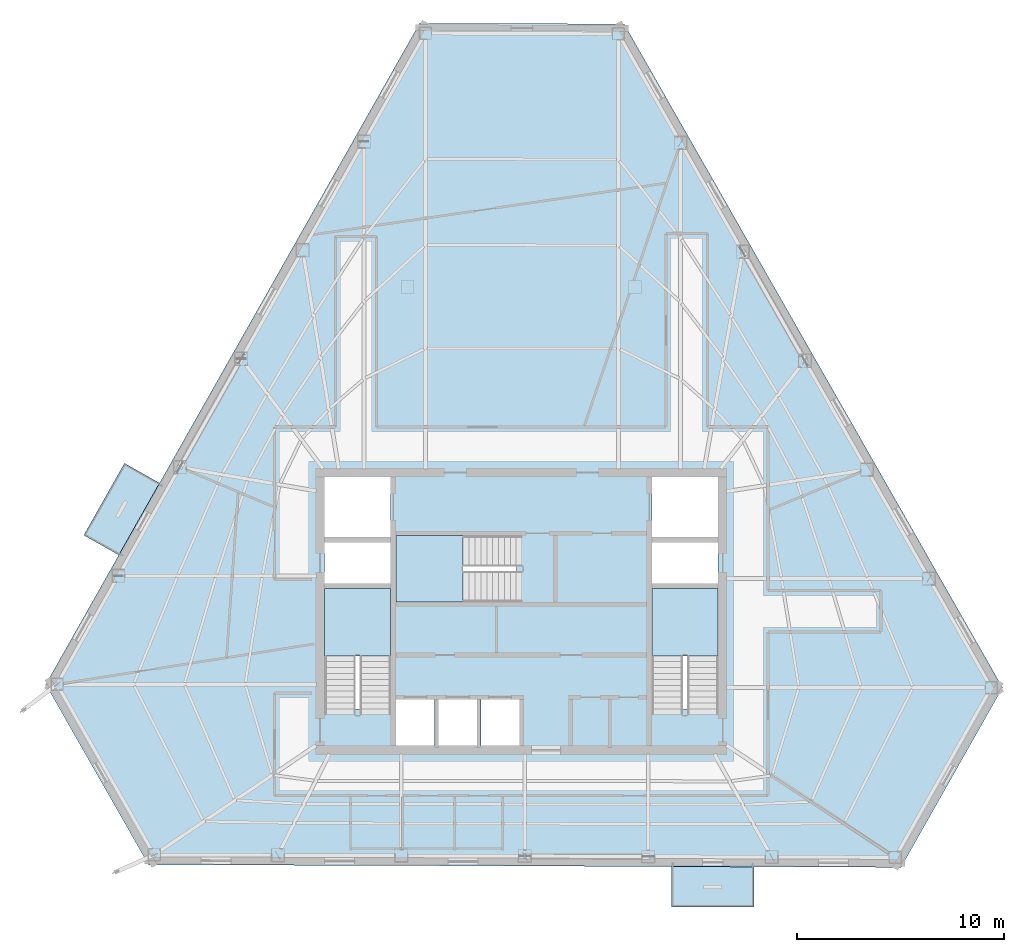
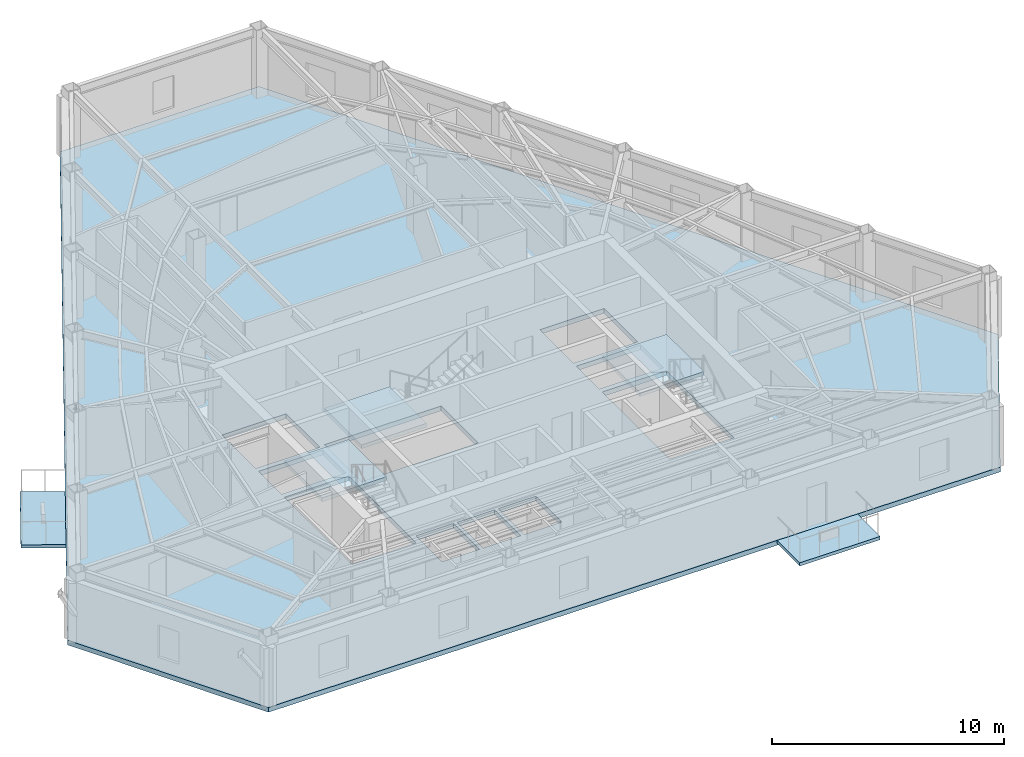
# One storey, part 3 of 13: 6 slabs, 3 elements without a shape of their own.
"""IFC4 building model written with IfcOpenShell, lengths in metres."""

import ifcopenshell
import ifcopenshell.guid

model = None  # the IFC model being written
_history = None  # IfcOwnerHistory: only IFC2X3 demands one
_inside = {}  # id of a spatial element -> (the spatial element, [elements in it])
_under = {}  # id of a project, library or spatial element -> (it, [spatial elements below it])
_declared = {}  # id of a project -> (the project, [libraries it declares])
_typed = {}  # id of a type object -> (the type object, [elements of that type])
_made_of = {}  # id of a material, layer set ... -> (it, [elements and type objects made of it])


def new_model(schema):
    """Start an empty IFC model of exactly this schema.

    Asked for "IFC4X3", IfcOpenShell would pick the latest addendum, in which some entities
    have other attributes; the version numbers below select the first issue.
    IFC2X3 requires an IfcOwnerHistory on every rooted entity: one is made here for all.
    """
    global model, _history
    if schema == "IFC4X3":
        model = ifcopenshell.file(schema_version=(4, 3, 0, 0))
    else:
        model = ifcopenshell.file(schema=schema)
    _inside.clear()
    _under.clear()
    _declared.clear()
    _typed.clear()
    _made_of.clear()
    _history = None
    if model.schema == "IFC2X3":
        org = make("IfcOrganization", Name="unknown")
        user = make(
            "IfcPersonAndOrganization",
            ThePerson=make("IfcPerson", FamilyName="unknown"),
            TheOrganization=org,
        )
        app = make(
            "IfcApplication",
            ApplicationDeveloper=org,
            Version="unknown",
            ApplicationFullName="unknown",
            ApplicationIdentifier="unknown",
        )
        _history = make(
            "IfcOwnerHistory",
            OwningUser=user,
            OwningApplication=app,
            ChangeAction="ADDED",
            CreationDate=0,
        )
    return model


def make(cls, **values):
    """One entity of the class cls with the attributes given. An attribute that is None is left unset."""
    return model.create_entity(
        cls, **{name: value for name, value in values.items() if value is not None}
    )


def rooted(cls, **values):
    """An entity with a GlobalId (a new one), such as an element, a storey or a relation."""
    return make(cls, GlobalId=ifcopenshell.guid.new(), OwnerHistory=_history, **values)


def si_unit(unit_type, name, prefix=None):
    """IfcSIUnit, for example si_unit("LENGTHUNIT", "METRE", prefix="MILLI")."""
    return make("IfcSIUnit", UnitType=unit_type, Prefix=prefix, Name=name)


def assignment(units):
    """IfcUnitAssignment: the units of a project."""
    return None if units is None else make("IfcUnitAssignment", Units=units)


def point(xyz):
    """IfcCartesianPoint."""
    return None if xyz is None else make("IfcCartesianPoint", Coordinates=xyz)


def direction(xyz):
    """IfcDirection."""
    return None if xyz is None else make("IfcDirection", DirectionRatios=xyz)


def frame(location, z_axis=None, x_axis=None):
    """IfcAxis2Placement3D, a coordinate frame: its origin and axes. An axis left out is left unset."""
    return make(
        "IfcAxis2Placement3D",
        Location=point(location),
        Axis=direction(z_axis),
        RefDirection=direction(x_axis),
    )


def origin():
    """The frame at (0, 0, 0) with its axes left unset."""
    return frame((0.0, 0.0, 0.0))


def place(relative_to, where):
    """IfcLocalPlacement: puts the frame where relative to a parent placement (None: the world)."""
    return make(
        "IfcLocalPlacement", PlacementRelTo=relative_to, RelativePlacement=where
    )


def context(
    kind, dimensions, precision=None, world=None, true_north=None, identifier=None
):
    """IfcGeometricRepresentationContext, for example the 3D "Model" context."""
    return make(
        "IfcGeometricRepresentationContext",
        ContextIdentifier=identifier,
        ContextType=kind,
        CoordinateSpaceDimension=dimensions,
        Precision=precision,
        WorldCoordinateSystem=world,
        TrueNorth=true_north,
    )


def subcontext(parent, identifier, kind, view, scale=None):
    """IfcGeometricRepresentationSubContext, for example "Body" below "Model"."""
    return make(
        "IfcGeometricRepresentationSubContext",
        ContextIdentifier=identifier,
        ContextType=kind,
        ParentContext=parent,
        TargetScale=scale,
        TargetView=view,
    )


def project(units=None, contexts=None):
    """IfcProject with its units and contexts."""
    return rooted(
        "IfcProject",
        Name="project",
        RepresentationContexts=contexts,
        UnitsInContext=assignment(units),
    )


def spatial(cls, under=None, at=None, **own):
    """A site, building, storey or space (cls), placed at a placement, below another one or the project."""
    s = rooted(cls, ObjectPlacement=at, **own)
    if under is not None:
        _under.setdefault(under.id(), (under, []))[1].append(s)
    return s


def polyline(points):
    """IfcPolyline through the points."""
    return make("IfcPolyline", Points=[point(p) for p in points])


def outline(outer, holes=None, kind="AREA"):
    """IfcArbitraryClosedProfileDef: a profile drawn as a closed curve; with holes, ...WithVoids."""
    if holes is None:
        return make("IfcArbitraryClosedProfileDef", ProfileType=kind, OuterCurve=outer)
    return make(
        "IfcArbitraryProfileDefWithVoids",
        ProfileType=kind,
        OuterCurve=outer,
        InnerCurves=holes,
    )


def extrude(swept, where, along, depth):
    """IfcExtrudedAreaSolid: the profile swept, set in the frame where, extruded along a direction by depth."""
    return make(
        "IfcExtrudedAreaSolid",
        SweptArea=swept,
        Position=where,
        ExtrudedDirection=direction(along),
        Depth=depth,
    )


def shape(context_of_items, identifier, shape_type, items):
    """IfcShapeRepresentation: the items that make up one representation, for example the "Body"."""
    return make(
        "IfcShapeRepresentation",
        ContextOfItems=context_of_items,
        RepresentationIdentifier=identifier,
        RepresentationType=shape_type,
        Items=items,
    )


def material(Name=None, Category=None):
    """IfcMaterial."""
    return make("IfcMaterial", Name=Name, Category=Category)


def layer(
    of_material, thickness, ventilated=None, Name=None, Category=None, Priority=None
):
    """IfcMaterialLayer: one layer of a wall or slab, of a material (None: an air gap)."""
    return make(
        "IfcMaterialLayer",
        Material=of_material,
        LayerThickness=thickness,
        IsVentilated=ventilated,
        Name=Name,
        Category=Category,
        Priority=Priority,
    )


def layer_set(layers, Name=None):
    """IfcMaterialLayerSet."""
    return make("IfcMaterialLayerSet", MaterialLayers=layers, LayerSetName=Name)


def made_of(thing, what):
    """Note that an element or type object is made of a material, layer set ...; save() writes the relation."""
    if what is not None:
        _made_of.setdefault(what.id(), (what, []))[1].append(thing)
    return thing


def type_object(cls, material=None, **own):
    """A type object (cls), such as IfcWallType, which elements share."""
    return made_of(rooted(cls, **own), material)


def element(
    cls,
    number,
    at=None,
    inside=None,
    cuts=None,
    type_object=None,
    material=None,
    context=None,
    identifier="Body",
    shape_type=None,
    held_by="IfcProductDefinitionShape",
    body=None,
    shapes=None,
    **own,
):
    """One element of the class cls, such as IfcWall. Its Tag is "e" and its number.

    at: its placement. inside: the storey or other place that contains it. cuts: it is an
    opening in that element (IfcRelVoidsElement). A single representation is given by context,
    identifier, shape_type and body (its items); several are given by shapes. held_by: the class
    of the entity that holds the representations. save() writes the other relations.
    """
    e = rooted(cls, Tag="e%d" % number, ObjectPlacement=at, **own)
    if body is not None:
        shapes = [shape(context, identifier, shape_type, body)]
    if shapes is not None:
        e.Representation = make(held_by, Representations=shapes)
    if inside is not None:
        _inside.setdefault(inside.id(), (inside, []))[1].append(e)
    if cuts is not None:
        rooted(
            "IfcRelVoidsElement", RelatingBuildingElement=cuts, RelatedOpeningElement=e
        )
    if type_object is not None:
        _typed.setdefault(type_object.id(), (type_object, []))[1].append(e)
    return made_of(e, material)


def aggregate(whole, parts):
    """IfcRelAggregates: a whole, such as a stair, and the parts it consists of."""
    return rooted("IfcRelAggregates", RelatingObject=whole, RelatedObjects=parts)


def save(model, path):
    """Write the relations noted so far, then the file.

    IfcRelAggregates (storeys below a building ...), IfcRelContainedInSpatialStructure (elements
    in a storey), IfcRelDefinesByType, IfcRelAssociatesMaterial and IfcRelDeclares: one each for
    every whole, place, type object, material and project.
    """
    for whole, parts in _under.values():
        aggregate(whole, parts)
    for where, things in _inside.values():
        rooted(
            "IfcRelContainedInSpatialStructure",
            RelatedElements=things,
            RelatingStructure=where,
        )
    for kind, things in _typed.values():
        rooted("IfcRelDefinesByType", RelatedObjects=things, RelatingType=kind)
    for what, things in _made_of.values():
        rooted("IfcRelAssociatesMaterial", RelatedObjects=things, RelatingMaterial=what)
    for by, libraries in _declared.values():
        rooted("IfcRelDeclares", RelatingContext=by, RelatedDefinitions=libraries)
    model.write(path)


model = new_model("IFC4")

# Units and contexts
model_context = context("Model", 3, precision=1e-05, world=origin(), true_north=direction((0.0, 1.0)))
body_context = subcontext(model_context, "Body", "Model", "MODEL_VIEW")
ifc_project = project(units=[si_unit("LENGTHUNIT", "METRE"), si_unit("AREAUNIT", "SQUARE_METRE"), si_unit("VOLUMEUNIT", "CUBIC_METRE"), si_unit("PLANEANGLEUNIT", "RADIAN"), si_unit("MASSUNIT", "GRAM", prefix="KILO")], contexts=[model_context])

# Site, building, storey
site_placement = place(None, origin())
site = spatial("IfcSite", under=ifc_project, at=site_placement, CompositionType="ELEMENT")
building_placement = place(site_placement, origin())
building = spatial("IfcBuilding", under=site, at=building_placement, Name="Kavelnor Concourse Tower", CompositionType="ELEMENT")
storey_placement = place(building_placement, frame((0.0, 0.0, 168.85009765625)))
storey = spatial("IfcBuildingStorey", under=building, at=storey_placement, Name="L42", CompositionType="ELEMENT", Elevation=168.85009765625)

# Slabs
ifc_material = material(Name="Concrete C40/50", Category="concrete")
ifc_layer_1 = layer(ifc_material, 0.169921875, Name="Concrete C40/50")
ifc_layer_set_1 = layer_set([ifc_layer_1], Name="Concrete C40/50")
slab_type_1 = type_object("IfcSlabType", Name="SLB-BALCONY-170", PredefinedType="FLOOR", material=ifc_layer_set_1)
slab_1_placement = place(storey_placement, frame((0.0, 0.0, -0.170166015625)))
element("IfcSlab", 1, at=slab_1_placement, inside=storey, type_object=slab_type_1, Name="L42 Cantilevered Tree Balcony Slab 1", PredefinedType="FLOOR", context=body_context, shape_type="SweptSolid", body=[
    extrude(outline(polyline([(16.8291015625, 19.7861328125), (18.798583984375, 23.267578125), (20.495849609375, 22.3076171875), (18.5263671875, 18.825927734375), (16.8291015625, 19.7861328125)])), origin(), (0.0, 0.0, 1.0), 0.170166015625),
])
slab_2_placement = place(storey_placement, frame((0.0, 0.0, -0.170166015625)))
element("IfcSlab", 2, at=slab_2_placement, inside=storey, type_object=slab_type_1, Name="L42 Cantilevered Tree Balcony Slab 2", PredefinedType="FLOOR", context=body_context, shape_type="SweptSolid", body=[
    extrude(outline(polyline([(49.26171875, 1.789306640625), (45.26171875, 1.802978515625), (45.268310546875, 3.7529296875), (49.268310546875, 3.7392578125), (49.26171875, 1.789306640625)])), origin(), (0.0, 0.0, 1.0), 0.170166015625),
])

# Stair, slab
stair_type = type_object("IfcStairType", Name="STR-CORE-1500", PredefinedType="HALF_TURN_STAIR", material=ifc_material)
stair_1_placement = place(storey_placement, origin())
stair_1 = element("IfcStair", 3, at=stair_1_placement, inside=storey, type_object=stair_type, Name="L42 ST1", PredefinedType="HALF_TURN_STAIR")
ifc_layer_2 = layer(ifc_material, 0.199951171875, Name="Concrete C40/50")
ifc_layer_set_2 = layer_set([ifc_layer_2], Name="Concrete C40/50")
slab_type_2 = type_object("IfcSlabType", Name="SLB-LANDING-200", PredefinedType="LANDING", material=ifc_layer_set_2)
slab_3_placement = place(storey_placement, frame((0.0, 0.0, 1.724853515625)))
slab_3 = element("IfcSlab", 4, at=slab_3_placement, type_object=slab_type_2, Name="ST1 landing 1", PredefinedType="LANDING", context=body_context, shape_type="SweptSolid", body=[
    extrude(outline(polyline([(31.679931640625, 13.949951171875), (31.679931640625, 17.199951171875), (28.47998046875, 17.199951171875), (28.47998046875, 13.949951171875), (31.679931640625, 13.949951171875)])), origin(), (0.0, 0.0, 1.0), 0.199951171875),
])
aggregate(stair_1, [slab_3])

stair_2_placement = place(storey_placement, origin())
stair_2 = element("IfcStair", 5, at=stair_2_placement, inside=storey, type_object=stair_type, Name="L42 ST2", PredefinedType="HALF_TURN_STAIR")
slab_4_placement = place(storey_placement, frame((0.0, 0.0, 1.724853515625)))
slab_4 = element("IfcSlab", 6, at=slab_4_placement, type_object=slab_type_2, Name="ST2 landing 1", PredefinedType="LANDING", context=body_context, shape_type="SweptSolid", body=[
    extrude(outline(polyline([(47.52001953125, 13.949951171875), (47.52001953125, 17.199951171875), (44.320068359375, 17.199951171875), (44.320068359375, 13.949951171875), (47.52001953125, 13.949951171875)])), origin(), (0.0, 0.0, 1.0), 0.199951171875),
])
aggregate(stair_2, [slab_4])

stair_3_placement = place(storey_placement, origin())
stair_3 = element("IfcStair", 7, at=stair_3_placement, inside=storey, type_object=stair_type, Name="L42 ST3", PredefinedType="HALF_TURN_STAIR")
slab_5_placement = place(storey_placement, frame((0.0, 0.0, 1.724853515625)))
slab_5 = element("IfcSlab", 8, at=slab_5_placement, type_object=slab_type_2, Name="ST3 landing 1", PredefinedType="LANDING", context=body_context, shape_type="SweptSolid", body=[
    extrude(outline(polyline([(35.18994140625, 19.760009765625), (31.93994140625, 19.760009765625), (31.93994140625, 16.56005859375), (35.18994140625, 16.56005859375), (35.18994140625, 19.760009765625)])), origin(), (0.0, 0.0, 1.0), 0.199951171875),
])
aggregate(stair_3, [slab_5])

# Slab
ifc_layer_3 = layer(ifc_material, 0.25, Name="Concrete C40/50")
ifc_layer_set_3 = layer_set([ifc_layer_3], Name="Concrete C40/50")
slab_type_3 = type_object("IfcSlabType", Name="SLB-OFFICE-250", PredefinedType="FLOOR", material=ifc_layer_set_3)
slab_6_placement = place(storey_placement, frame((0.0, 0.0, -0.25)))
element("IfcSlab", 9, at=slab_6_placement, inside=storey, type_object=slab_type_3, Name="L42 Composite Structural Floor Slab", PredefinedType="FLOOR", context=body_context, shape_type="SweptSolid", body=[
    extrude(outline(polyline([(42.977783203125, 44.523681640625), (33.081298828125, 44.5576171875), (14.98779296875, 12.56982421875), (19.96533203125, 3.840087890625), (56.369384765625, 3.71484375), (61.2880859375, 12.41064453125), (42.977783203125, 44.523681640625)]), holes=[polyline([(28.47998046875, 11.3798828125), (31.679931640625, 11.3798828125), (31.679931640625, 17.199951171875), (28.47998046875, 17.199951171875), (28.47998046875, 11.3798828125)]), polyline([(44.320068359375, 11.3798828125), (47.52001953125, 11.3798828125), (47.52001953125, 17.199951171875), (44.320068359375, 17.199951171875), (44.320068359375, 11.3798828125)]), polyline([(31.93994140625, 16.56005859375), (37.760009765625, 16.56005859375), (37.760009765625, 19.760009765625), (31.93994140625, 19.760009765625), (31.93994140625, 16.56005859375)]), polyline([(28.47998046875, 19.699951171875), (31.679931640625, 19.699951171875), (31.679931640625, 22.60009765625), (28.47998046875, 22.60009765625), (28.47998046875, 19.699951171875)]), polyline([(44.320068359375, 19.699951171875), (47.52001953125, 19.699951171875), (47.52001953125, 22.60009765625), (44.320068359375, 22.60009765625), (44.320068359375, 19.699951171875)]), polyline([(31.93994140625, 9.60009765625), (33.81005859375, 9.60009765625), (33.81005859375, 11.840087890625), (31.93994140625, 11.840087890625), (31.93994140625, 9.60009765625)]), polyline([(33.989990234375, 9.60009765625), (35.860107421875, 9.60009765625), (35.860107421875, 11.840087890625), (33.989990234375, 11.840087890625), (33.989990234375, 9.60009765625)]), polyline([(36.0400390625, 9.60009765625), (37.909912109375, 9.60009765625), (37.909912109375, 11.840087890625), (36.0400390625, 11.840087890625), (36.0400390625, 9.60009765625)]), polyline([(28.47998046875, 17.4599609375), (31.679931640625, 17.4599609375), (31.679931640625, 19.43994140625), (28.47998046875, 19.43994140625), (28.47998046875, 17.4599609375)]), polyline([(44.320068359375, 17.4599609375), (47.52001953125, 17.4599609375), (47.52001953125, 19.43994140625), (44.320068359375, 19.43994140625), (44.320068359375, 17.4599609375)])]), origin(), (0.0, 0.0, 1.0), 0.25),
])

save(model, "model.ifc")
